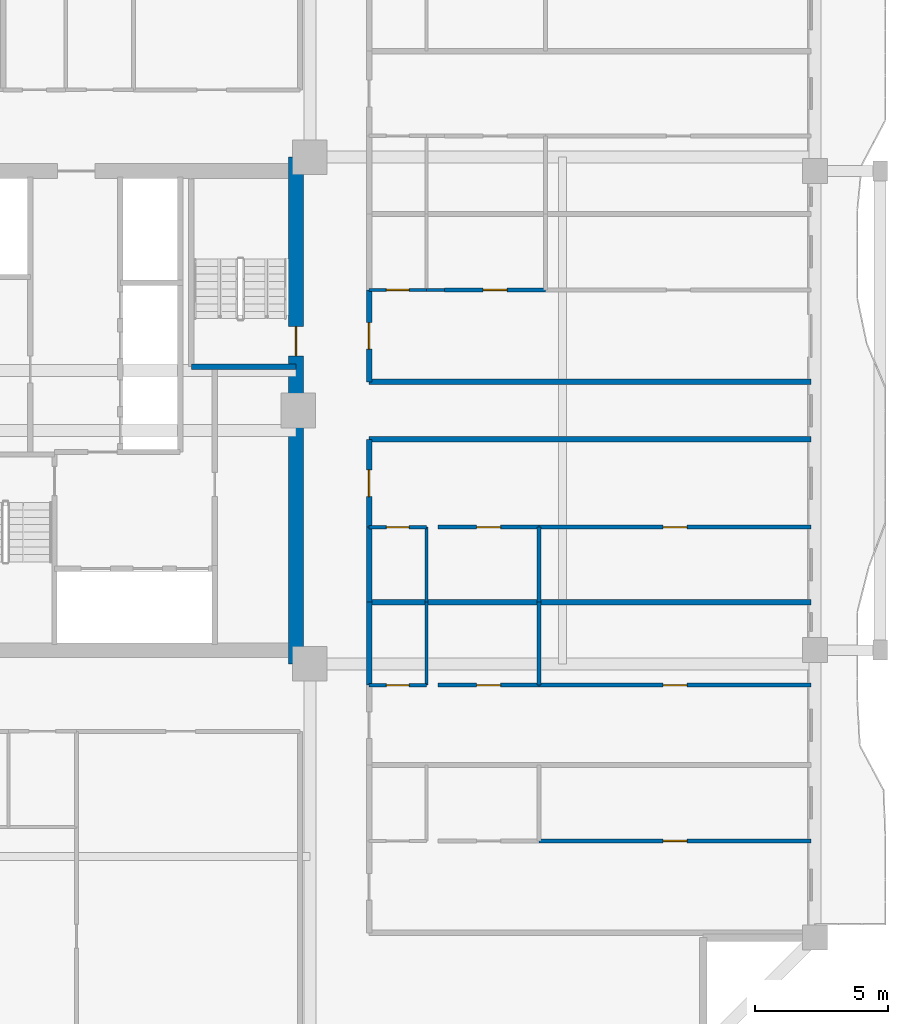
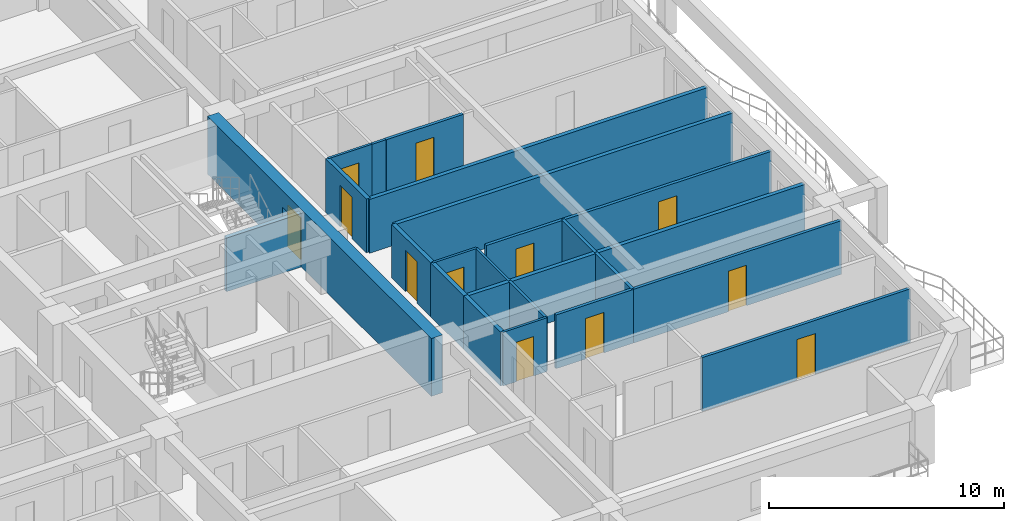
# One storey, part 5 of 13: 23 walls, 12 doors, 12 openings.
"""IFC4 building model written with IfcOpenShell, lengths in metres."""

from ifc_helpers import new_model, si_unit, direction, frame, frame_2d, origin, place, context, subcontext, project, spatial, rectangle, extrude, source, transform, mapped, material, layer, layer_set, type_object, element, fill, save


model = new_model("IFC4")

# Units and contexts
model_context = context("Model", 3, precision=1e-05, world=origin(), true_north=direction((0.0, 1.0)))
body_context = subcontext(model_context, "Body", "Model", "MODEL_VIEW")
ifc_project = project(units=[si_unit("LENGTHUNIT", "METRE"), si_unit("AREAUNIT", "SQUARE_METRE"), si_unit("VOLUMEUNIT", "CUBIC_METRE"), si_unit("PLANEANGLEUNIT", "RADIAN"), si_unit("MASSUNIT", "GRAM", prefix="KILO")], contexts=[model_context])

# Site, building, storey
site_placement = place(None, origin())
site = spatial("IfcSite", under=ifc_project, at=site_placement, CompositionType="ELEMENT")
building_placement = place(site_placement, origin())
building = spatial("IfcBuilding", under=site, at=building_placement, Name="Saelheon Loggia Tower", CompositionType="ELEMENT")
storey_placement = place(building_placement, frame((0.0, 0.0, 92.85009765625)))
storey = spatial("IfcBuildingStorey", under=building, at=storey_placement, Name="L29", CompositionType="ELEMENT", Elevation=92.85009765625)

# Wall, opening, door
ifc_material_1 = material(Name="Concrete C50/60", Category="concrete")
ifc_layer_1 = layer(ifc_material_1, 0.550048828125)
ifc_layer_set_1 = layer_set([ifc_layer_1], Name="Concrete C50/60")
wall_type_1 = type_object("IfcWallType", Name="Wall_CoreShear_550", PredefinedType="SHEAR", material=ifc_layer_set_1)
wall_1_placement = place(storey_placement, frame((44.5, 17.47998046875, 0.0), z_axis=(0.0, 0.0, 1.0), x_axis=(0.0, 1.0, 0.0)))
wall_1 = element("IfcWall", 1, at=wall_1_placement, inside=storey, type_object=wall_type_1, Name="L29 Core Shear Wall East", PredefinedType="SHEAR", context=body_context, shape_type="SweptSolid", body=[
    extrude(rectangle(XDim=19.0400390625, YDim=0.550048828125, at=frame_2d((9.52001953125, 0.0))), origin(), (0.0, 0.0, 1.0), 3.0),
])
opening_1_placement = place(wall_1_placement, frame((12.670166015625, 0.0, 0.0), z_axis=(0.0, 0.0, 1.0), x_axis=(-1.0, 0.0, 0.0)))
opening_1 = element("IfcOpeningElement", 2, at=opening_1_placement, cuts=wall_1, Name="Opening D-FD2", PredefinedType="OPENING", context=body_context, shape_type="SweptSolid", body=[
    extrude(rectangle(XDim=1.10009765625, YDim=2.14990234375, at=frame_2d((0.550048828125, 1.074951171875))), frame((0.0, 0.287109375, 0.0), z_axis=(0.0, -1.0, 0.0), x_axis=(1.0, 0.0, 0.0)), (0.0, 0.0, 1.0), 0.573974609375),
])
ifc_material_2 = material(Name="Galvanised Steel Fire Door", Category="steel")
door_type_1 = type_object("IfcDoorType", Name="Door_Fire_FD60_1100", OperationType="NOTDEFINED", PredefinedType="DOOR", material=ifc_material_2)
shared_shape_1 = source(origin(), body_context, "Body", "SweptSolid", [
    extrude(rectangle(XDim=1.10009765625, YDim=2.14990234375, at=frame_2d((0.550048828125, 1.074951171875))), frame((0.0, 0.02490234375, 0.0), z_axis=(0.0, -1.0, 0.0), x_axis=(1.0, 0.0, 0.0)), (0.0, 0.0, 1.0), 0.050048828125),
])
door_1_placement = place(opening_1_placement, origin())
door_1 = element("IfcDoor", 3, at=door_1_placement, inside=storey, type_object=door_type_1, Name="L29 Stair ST2 Corridor Door", OperationType="SINGLE_SWING_RIGHT", OverallHeight=2.14990234375, OverallWidth=1.10009765625, PredefinedType="DOOR", context=body_context, shape_type="MappedRepresentation", body=[
    mapped(shared_shape_1, transform((0.0, 0.0, 0.0), scale=1.0)),
])
fill(opening_1, door_1)

ifc_material_3 = material(Name="Lightweight Autoclaved Aerated Concrete Block and Acoustic Gypsum", Category="concrete")
ifc_layer_2 = layer(ifc_material_3, 0.14990234375)
ifc_layer_set_2 = layer_set([ifc_layer_2], Name="Lightweight Autoclaved Aerated Concrete Block and Acoustic Gypsum")
wall_type_2 = type_object("IfcWallType", Name="Wall_Part_150", PredefinedType="PARTITIONING", material=ifc_layer_set_2)
wall_2_placement = place(storey_placement, frame((53.639892578125, 10.83349609375, 0.0), z_axis=(0.0, 0.0, 1.0), x_axis=(1.0, 0.0, 0.0)))
wall_2 = element("IfcWall", 4, at=wall_2_placement, inside=storey, type_object=wall_type_2, Name="L29 ES Partition U09", PredefinedType="PARTITIONING", context=body_context, shape_type="SweptSolid", body=[
    extrude(rectangle(XDim=10.210205078125, YDim=0.14990234375, at=frame_2d((5.10498046875, 0.0))), origin(), (0.0, 0.0, 1.0), 2.789794921875),
])
opening_2_placement = place(wall_2_placement, frame((4.655029296875, 0.0, 0.0)))
opening_2 = element("IfcOpeningElement", 5, at=opening_2_placement, cuts=wall_2, Name="Opening D-IN2", PredefinedType="OPENING", context=body_context, shape_type="SweptSolid", body=[
    extrude(rectangle(XDim=0.89990234375, YDim=2.10009765625, at=frame_2d((0.449951171875, 1.050048828125))), frame((0.0, 0.0869140625, 0.0), z_axis=(0.0, -1.0, 0.0), x_axis=(1.0, 0.0, 0.0)), (0.0, 0.0, 1.0), 0.173828125),
])
ifc_material_4 = material(Name="Engineered Oak Flush Door", Category="timber")
door_type_2 = type_object("IfcDoorType", Name="Door_Int_900", OperationType="NOTDEFINED", PredefinedType="DOOR", material=ifc_material_4)
shared_shape_2 = source(origin(), body_context, "Body", "SweptSolid", [
    extrude(rectangle(XDim=0.89990234375, YDim=2.10009765625, at=frame_2d((0.449951171875, 1.050048828125))), frame((0.0, 0.02490234375, 0.0), z_axis=(0.0, -1.0, 0.0), x_axis=(1.0, 0.0, 0.0)), (0.0, 0.0, 1.0), 0.050048828125),
])
door_2_placement = place(opening_2_placement, origin())
door_2 = element("IfcDoor", 6, at=door_2_placement, inside=storey, type_object=door_type_2, Name="Unit U07 Bedroom 1 Door", OperationType="SINGLE_SWING_LEFT", OverallHeight=2.10009765625, OverallWidth=0.89990234375, PredefinedType="DOOR", context=body_context, shape_type="MappedRepresentation", body=[
    mapped(shared_shape_2, transform((0.0, 0.0, 0.0), scale=1.0)),
])
fill(opening_2, door_2)

# Wall
wall_3_placement = place(storey_placement, frame((53.639892578125, 16.679931640625, 0.0), z_axis=(0.0, 0.0, 1.0), x_axis=(0.0, 1.0, 0.0)))
element("IfcWall", 7, at=wall_3_placement, inside=storey, type_object=wall_type_2, Name="L29 ES Partition V15", PredefinedType="PARTITIONING", context=body_context, shape_type="SweptSolid", body=[
    extrude(rectangle(XDim=3.121826171875, YDim=0.14990234375, at=frame_2d((1.56103515625, 0.0))), origin(), (0.0, 0.0, 1.0), 2.789794921875),
])

# Wall, opening, door
wall_4_placement = place(storey_placement, frame((49.840087890625, 16.679931640625, 0.0), z_axis=(0.0, 0.0, 1.0), x_axis=(1.0, 0.0, 0.0)))
wall_4 = element("IfcWall", 8, at=wall_4_placement, inside=storey, type_object=wall_type_2, Name="L29 ES Partition U16", PredefinedType="PARTITIONING", context=body_context, shape_type="SweptSolid", body=[
    extrude(rectangle(XDim=3.7998046875, YDim=0.14990234375, at=frame_2d((1.89990234375, 0.0))), origin(), (0.0, 0.0, 1.0), 2.789794921875),
])
opening_3_placement = place(wall_4_placement, frame((1.449951171875, 0.0, 0.0)))
opening_3 = element("IfcOpeningElement", 9, at=opening_3_placement, cuts=wall_4, Name="Opening D-IN2", PredefinedType="OPENING", context=body_context, shape_type="SweptSolid", body=[
    extrude(rectangle(XDim=0.89990234375, YDim=2.10009765625, at=frame_2d((0.449951171875, 1.050048828125))), frame((0.0, 0.0869140625, 0.0), z_axis=(0.0, -1.0, 0.0), x_axis=(1.0, 0.0, 0.0)), (0.0, 0.0, 1.0), 0.173828125),
])
door_3_placement = place(opening_3_placement, origin())
door_3 = element("IfcDoor", 10, at=door_3_placement, inside=storey, type_object=door_type_2, Name="Unit U08 Kitchen Door", OperationType="SINGLE_SWING_RIGHT", OverallHeight=2.10009765625, OverallWidth=0.89990234375, PredefinedType="DOOR", context=body_context, shape_type="MappedRepresentation", body=[
    mapped(shared_shape_2, transform((0.0, 0.0, 0.0), scale=1.0)),
])
fill(opening_3, door_3)

wall_5_placement = place(storey_placement, frame((53.639892578125, 16.679931640625, 0.0), z_axis=(0.0, 0.0, 1.0), x_axis=(1.0, 0.0, 0.0)))
wall_5 = element("IfcWall", 11, at=wall_5_placement, inside=storey, type_object=wall_type_2, Name="L29 ES Partition U17", PredefinedType="PARTITIONING", context=body_context, shape_type="SweptSolid", body=[
    extrude(rectangle(XDim=10.210205078125, YDim=0.14990234375, at=frame_2d((5.10498046875, 0.0))), origin(), (0.0, 0.0, 1.0), 2.789794921875),
])
opening_4_placement = place(wall_5_placement, frame((4.655029296875, 0.0, 0.0)))
opening_4 = element("IfcOpeningElement", 12, at=opening_4_placement, cuts=wall_5, Name="Opening D-IN2", PredefinedType="OPENING", context=body_context, shape_type="SweptSolid", body=[
    extrude(rectangle(XDim=0.89990234375, YDim=2.10009765625, at=frame_2d((0.449951171875, 1.050048828125))), frame((0.0, 0.0869140625, 0.0), z_axis=(0.0, -1.0, 0.0), x_axis=(1.0, 0.0, 0.0)), (0.0, 0.0, 1.0), 0.173828125),
])
door_4_placement = place(opening_4_placement, origin())
door_4 = element("IfcDoor", 13, at=door_4_placement, inside=storey, type_object=door_type_2, Name="Unit U08 Bedroom 1 Door", OperationType="SINGLE_SWING_LEFT", OverallHeight=2.10009765625, OverallWidth=0.89990234375, PredefinedType="DOOR", context=body_context, shape_type="MappedRepresentation", body=[
    mapped(shared_shape_2, transform((0.0, 0.0, 0.0), scale=1.0)),
])
fill(opening_4, door_4)

# Wall
wall_6_placement = place(storey_placement, frame((53.639892578125, 19.8017578125, 0.0), z_axis=(0.0, 0.0, 1.0), x_axis=(0.0, 1.0, 0.0)))
element("IfcWall", 14, at=wall_6_placement, inside=storey, type_object=wall_type_2, Name="L29 ES Partition V23", PredefinedType="PARTITIONING", context=body_context, shape_type="SweptSolid", body=[
    extrude(rectangle(XDim=2.814453125, YDim=0.14990234375, at=frame_2d((1.4072265625, 0.0))), origin(), (0.0, 0.0, 1.0), 2.789794921875),
])

# Wall, opening, door
wall_7_placement = place(storey_placement, frame((49.840087890625, 22.6162109375, 0.0), z_axis=(0.0, 0.0, 1.0), x_axis=(1.0, 0.0, 0.0)))
wall_7 = element("IfcWall", 15, at=wall_7_placement, inside=storey, type_object=wall_type_2, Name="L29 ES Partition U24", PredefinedType="PARTITIONING", context=body_context, shape_type="SweptSolid", body=[
    extrude(rectangle(XDim=3.7998046875, YDim=0.14990234375, at=frame_2d((1.89990234375, 0.0))), origin(), (0.0, 0.0, 1.0), 2.789794921875),
])
opening_5_placement = place(wall_7_placement, frame((1.449951171875, 0.0, 0.0)))
opening_5 = element("IfcOpeningElement", 16, at=opening_5_placement, cuts=wall_7, Name="Opening D-IN2", PredefinedType="OPENING", context=body_context, shape_type="SweptSolid", body=[
    extrude(rectangle(XDim=0.89990234375, YDim=2.10009765625, at=frame_2d((0.449951171875, 1.050048828125))), frame((0.0, 0.0869140625, 0.0), z_axis=(0.0, -1.0, 0.0), x_axis=(1.0, 0.0, 0.0)), (0.0, 0.0, 1.0), 0.173828125),
])
door_5_placement = place(opening_5_placement, origin())
door_5 = element("IfcDoor", 17, at=door_5_placement, inside=storey, type_object=door_type_2, Name="Unit U09 Kitchen Door", OperationType="SINGLE_SWING_RIGHT", OverallHeight=2.10009765625, OverallWidth=0.89990234375, PredefinedType="DOOR", context=body_context, shape_type="MappedRepresentation", body=[
    mapped(shared_shape_2, transform((0.0, 0.0, 0.0), scale=1.0)),
])
fill(opening_5, door_5)

wall_8_placement = place(storey_placement, frame((53.639892578125, 22.6162109375, 0.0), z_axis=(0.0, 0.0, 1.0), x_axis=(1.0, 0.0, 0.0)))
wall_8 = element("IfcWall", 18, at=wall_8_placement, inside=storey, type_object=wall_type_2, Name="L29 ES Partition U25", PredefinedType="PARTITIONING", context=body_context, shape_type="SweptSolid", body=[
    extrude(rectangle(XDim=10.210205078125, YDim=0.14990234375, at=frame_2d((5.10498046875, 0.0))), origin(), (0.0, 0.0, 1.0), 2.789794921875),
])
opening_6_placement = place(wall_8_placement, frame((4.655029296875, 0.0, 0.0)))
opening_6 = element("IfcOpeningElement", 19, at=opening_6_placement, cuts=wall_8, Name="Opening D-IN2", PredefinedType="OPENING", context=body_context, shape_type="SweptSolid", body=[
    extrude(rectangle(XDim=0.89990234375, YDim=2.10009765625, at=frame_2d((0.449951171875, 1.050048828125))), frame((0.0, 0.0869140625, 0.0), z_axis=(0.0, -1.0, 0.0), x_axis=(1.0, 0.0, 0.0)), (0.0, 0.0, 1.0), 0.173828125),
])
door_6_placement = place(opening_6_placement, origin())
door_6 = element("IfcDoor", 20, at=door_6_placement, inside=storey, type_object=door_type_2, Name="Unit U09 Bedroom 1 Door", OperationType="SINGLE_SWING_LEFT", OverallHeight=2.10009765625, OverallWidth=0.89990234375, PredefinedType="DOOR", context=body_context, shape_type="MappedRepresentation", body=[
    mapped(shared_shape_2, transform((0.0, 0.0, 0.0), scale=1.0)),
])
fill(opening_6, door_6)

wall_9_placement = place(storey_placement, frame((50.080078125, 31.53369140625, 0.0), z_axis=(0.0, 0.0, 1.0), x_axis=(1.0, 0.0, 0.0)))
wall_9 = element("IfcWall", 21, at=wall_9_placement, inside=storey, type_object=wall_type_2, Name="L29 EN Partition U09", PredefinedType="PARTITIONING", context=body_context, shape_type="SweptSolid", body=[
    extrude(rectangle(XDim=3.7998046875, YDim=0.14990234375, at=frame_2d((1.89990234375, 0.0))), origin(), (0.0, 0.0, 1.0), 2.789794921875),
])
opening_7_placement = place(wall_9_placement, frame((1.449951171875, 0.0, 0.0)))
opening_7 = element("IfcOpeningElement", 22, at=opening_7_placement, cuts=wall_9, Name="Opening D-IN2", PredefinedType="OPENING", context=body_context, shape_type="SweptSolid", body=[
    extrude(rectangle(XDim=0.89990234375, YDim=2.10009765625, at=frame_2d((0.449951171875, 1.050048828125))), frame((0.0, 0.0869140625, 0.0), z_axis=(0.0, -1.0, 0.0), x_axis=(1.0, 0.0, 0.0)), (0.0, 0.0, 1.0), 0.173828125),
])
door_7_placement = place(opening_7_placement, origin())
door_7 = element("IfcDoor", 23, at=door_7_placement, inside=storey, type_object=door_type_2, Name="Unit U10 Kitchen Door", OperationType="SINGLE_SWING_RIGHT", OverallHeight=2.10009765625, OverallWidth=0.89990234375, PredefinedType="DOOR", context=body_context, shape_type="MappedRepresentation", body=[
    mapped(shared_shape_2, transform((0.0, 0.0, 0.0), scale=1.0)),
])
fill(opening_7, door_7)

# Walls
ifc_material_5 = material(Name="Double Acoustic Stud and Fireboard Partition", Category="gypsum")
ifc_layer_3 = layer(ifc_material_5, 0.199951171875)
ifc_layer_set_3 = layer_set([ifc_layer_3], Name="Double Acoustic Stud and Fireboard Partition")
wall_type_3 = type_object("IfcWallType", Name="Wall_Party_200", PredefinedType="PARTITIONING", material=ifc_layer_set_3)
wall_10_placement = place(storey_placement, frame((47.25, 25.919921875, 0.0), z_axis=(0.0, 0.0, 1.0), x_axis=(1.0, 0.0, 0.0)))
element("IfcWall", 24, at=wall_10_placement, inside=storey, type_object=wall_type_3, Name="L29 ES Partition U02", PredefinedType="PARTITIONING", context=body_context, shape_type="SweptSolid", body=[
    extrude(rectangle(XDim=16.60009765625, YDim=0.199951171875, at=frame_2d((8.300048828125, 0.0))), origin(), (0.0, 0.0, 1.0), 2.789794921875),
])
wall_11_placement = place(storey_placement, frame((47.25, 16.679931640625, 0.0), z_axis=(0.0, 0.0, 1.0), x_axis=(0.0, 1.0, 0.0)))
element("IfcWall", 25, at=wall_11_placement, inside=storey, type_object=wall_type_3, Name="L29 ES Partition V12", PredefinedType="PARTITIONING", context=body_context, shape_type="SweptSolid", body=[
    extrude(rectangle(XDim=3.121826171875, YDim=0.199951171875, at=frame_2d((1.56103515625, 0.0))), origin(), (0.0, 0.0, 1.0), 2.789794921875),
])
wall_12_placement = place(storey_placement, frame((47.25, 19.8017578125, 0.0), z_axis=(0.0, 0.0, 1.0), x_axis=(1.0, 0.0, 0.0)))
element("IfcWall", 26, at=wall_12_placement, inside=storey, type_object=wall_type_3, Name="L29 ES Partition U18", PredefinedType="PARTITIONING", context=body_context, shape_type="SweptSolid", body=[
    extrude(rectangle(XDim=16.60009765625, YDim=0.199951171875, at=frame_2d((8.300048828125, 0.0))), origin(), (0.0, 0.0, 1.0), 2.789794921875),
])
wall_13_placement = place(storey_placement, frame((47.25, 19.8017578125, 0.0), z_axis=(0.0, 0.0, 1.0), x_axis=(0.0, 1.0, 0.0)))
element("IfcWall", 27, at=wall_13_placement, inside=storey, type_object=wall_type_3, Name="L29 ES Partition V19", PredefinedType="PARTITIONING", context=body_context, shape_type="SweptSolid", body=[
    extrude(rectangle(XDim=2.814453125, YDim=0.199951171875, at=frame_2d((1.4072265625, 0.0))), origin(), (0.0, 0.0, 1.0), 2.789794921875),
])

# Wall, opening, door
wall_14_placement = place(storey_placement, frame((47.25, 22.6162109375, 0.0), z_axis=(0.0, 0.0, 1.0), x_axis=(0.0, 1.0, 0.0)))
wall_14 = element("IfcWall", 28, at=wall_14_placement, inside=storey, type_object=wall_type_3, Name="L29 ES Partition V20", PredefinedType="PARTITIONING", context=body_context, shape_type="SweptSolid", body=[
    extrude(rectangle(XDim=3.3037109375, YDim=0.199951171875, at=frame_2d((1.65185546875, 0.0))), origin(), (0.0, 0.0, 1.0), 2.789794921875),
])
opening_8_placement = place(wall_14_placement, frame((1.15185546875, 0.0, 0.0)))
opening_8 = element("IfcOpeningElement", 29, at=opening_8_placement, cuts=wall_14, Name="Opening D-FD1", PredefinedType="OPENING", context=body_context, shape_type="SweptSolid", body=[
    extrude(rectangle(XDim=1.0, YDim=2.14990234375, at=frame_2d((0.5, 1.074951171875))), frame((0.0, 0.112060546875, 0.0), z_axis=(0.0, -1.0, 0.0), x_axis=(1.0, 0.0, 0.0)), (0.0, 0.0, 1.0), 0.223876953125),
])
ifc_material_6 = material(Name="Fire-Rated Engineered Timber Entrance Door", Category="wood")
door_type_3 = type_object("IfcDoorType", Name="Door_Flat_FD30S", OperationType="NOTDEFINED", PredefinedType="DOOR", material=ifc_material_6)
shared_shape_3 = source(origin(), body_context, "Body", "SweptSolid", [
    extrude(rectangle(XDim=1.0, YDim=2.14990234375, at=frame_2d((0.5, 1.074951171875))), frame((0.0, 0.02490234375, 0.0), z_axis=(0.0, -1.0, 0.0), x_axis=(1.0, 0.0, 0.0)), (0.0, 0.0, 1.0), 0.050048828125),
])
door_8_placement = place(opening_8_placement, origin())
door_8 = element("IfcDoor", 30, at=door_8_placement, inside=storey, type_object=door_type_3, Name="Unit U09 Entrance Door", OperationType="SINGLE_SWING_RIGHT", OverallHeight=2.14990234375, OverallWidth=1.0, PredefinedType="DOOR", context=body_context, shape_type="MappedRepresentation", body=[
    mapped(shared_shape_3, transform((0.0, 0.0, 0.0), scale=1.0)),
])
fill(opening_8, door_8)

# Wall
wall_15_placement = place(storey_placement, frame((47.25, 28.080078125, 0.0), z_axis=(0.0, 0.0, 1.0), x_axis=(1.0, 0.0, 0.0)))
element("IfcWall", 31, at=wall_15_placement, inside=storey, type_object=wall_type_3, Name="L29 EN Partition U01", PredefinedType="PARTITIONING", context=body_context, shape_type="SweptSolid", body=[
    extrude(rectangle(XDim=16.60009765625, YDim=0.199951171875, at=frame_2d((8.300048828125, 0.0))), origin(), (0.0, 0.0, 1.0), 2.789794921875),
])

# Wall, opening, door
wall_16_placement = place(storey_placement, frame((47.25, 28.080078125, 0.0), z_axis=(0.0, 0.0, 1.0), x_axis=(0.0, 1.0, 0.0)))
wall_16 = element("IfcWall", 32, at=wall_16_placement, inside=storey, type_object=wall_type_3, Name="L29 EN Partition V03", PredefinedType="PARTITIONING", context=body_context, shape_type="SweptSolid", body=[
    extrude(rectangle(XDim=3.45361328125, YDim=0.199951171875, at=frame_2d((1.726806640625, 0.0))), origin(), (0.0, 0.0, 1.0), 2.789794921875),
])
opening_9_placement = place(wall_16_placement, frame((1.226806640625, 0.0, 0.0)))
opening_9 = element("IfcOpeningElement", 33, at=opening_9_placement, cuts=wall_16, Name="Opening D-FD1", PredefinedType="OPENING", context=body_context, shape_type="SweptSolid", body=[
    extrude(rectangle(XDim=1.0, YDim=2.14990234375, at=frame_2d((0.5, 1.074951171875))), frame((0.0, 0.112060546875, 0.0), z_axis=(0.0, -1.0, 0.0), x_axis=(1.0, 0.0, 0.0)), (0.0, 0.0, 1.0), 0.223876953125),
])
door_9_placement = place(opening_9_placement, origin())
door_9 = element("IfcDoor", 34, at=door_9_placement, inside=storey, type_object=door_type_3, Name="Unit U10 Entrance Door", OperationType="SINGLE_SWING_RIGHT", OverallHeight=2.14990234375, OverallWidth=1.0, PredefinedType="DOOR", context=body_context, shape_type="MappedRepresentation", body=[
    mapped(shared_shape_3, transform((0.0, 0.0, 0.0), scale=1.0)),
])
fill(opening_9, door_9)

# Wall
ifc_material_7 = material(Name="Concrete C45/55", Category="concrete")
ifc_layer_4 = layer(ifc_material_7, 0.199951171875)
ifc_layer_set_4 = layer_set([ifc_layer_4], Name="Concrete C45/55")
wall_type_4 = type_object("IfcWallType", Name="Wall_StairShaft_RC200", PredefinedType="SOLIDWALL", material=ifc_layer_set_4)
wall_17_placement = place(storey_placement, frame((40.570068359375, 28.64990234375, 0.0), z_axis=(0.0, 0.0, 1.0), x_axis=(1.0, 0.0, 0.0)))
element("IfcWall", 35, at=wall_17_placement, inside=storey, type_object=wall_type_4, Name="L29 Stair ST2 South Wall", PredefinedType="SOLIDWALL", context=body_context, shape_type="SweptSolid", body=[
    extrude(rectangle(XDim=3.929931640625, YDim=0.199951171875, at=frame_2d((1.96484375, 0.0))), origin(), (0.0, 0.0, 1.0), 2.789794921875),
])

# Wall, opening, door
ifc_material_8 = material(Name="Moisture-Resistant Cement Board Partition", Category="gypsum")
ifc_layer_5 = layer(ifc_material_8, 0.1201171875)
ifc_layer_set_5 = layer_set([ifc_layer_5], Name="Moisture-Resistant Cement Board Partition")
wall_type_5 = type_object("IfcWallType", Name="Wall_WetPart_120", PredefinedType="PARTITIONING", material=ifc_layer_set_5)
wall_18_placement = place(storey_placement, frame((47.25, 16.679931640625, 0.0), z_axis=(0.0, 0.0, 1.0), x_axis=(1.0, 0.0, 0.0)))
wall_18 = element("IfcWall", 36, at=wall_18_placement, inside=storey, type_object=wall_type_5, Name="L29 ES Partition U13", PredefinedType="PARTITIONING", context=body_context, shape_type="SweptSolid", body=[
    extrude(rectangle(XDim=2.14990234375, YDim=0.1201171875, at=frame_2d((1.074951171875, 0.0))), origin(), (0.0, 0.0, 1.0), 2.789794921875),
])
opening_10_placement = place(wall_18_placement, frame((0.64990234375, 0.0, 0.0)))
opening_10 = element("IfcOpeningElement", 37, at=opening_10_placement, cuts=wall_18, Name="Opening D-BT1", PredefinedType="OPENING", context=body_context, shape_type="SweptSolid", body=[
    extrude(rectangle(XDim=0.85009765625, YDim=2.050048828125, at=frame_2d((0.425048828125, 1.02490234375))), frame((0.0, 0.072021484375, 0.0), z_axis=(0.0, -1.0, 0.0), x_axis=(1.0, 0.0, 0.0)), (0.0, 0.0, 1.0), 0.14404296875),
])
ifc_material_9 = material(Name="Moisture-Resistant Laminate Timber Door", Category="wood")
door_type_4 = type_object("IfcDoorType", Name="Door_Bath_850", OperationType="NOTDEFINED", PredefinedType="DOOR", material=ifc_material_9)
shared_shape_4 = source(origin(), body_context, "Body", "SweptSolid", [
    extrude(rectangle(XDim=0.85009765625, YDim=2.050048828125, at=frame_2d((0.425048828125, 1.02490234375))), frame((0.0, 0.02490234375, 0.0), z_axis=(0.0, -1.0, 0.0), x_axis=(1.0, 0.0, 0.0)), (0.0, 0.0, 1.0), 0.050048828125),
])
door_10_placement = place(opening_10_placement, origin())
door_10 = element("IfcDoor", 38, at=door_10_placement, inside=storey, type_object=door_type_4, Name="Unit U08 Bathroom Door", OperationType="SINGLE_SWING_LEFT", OverallHeight=2.050048828125, OverallWidth=0.85009765625, PredefinedType="DOOR", context=body_context, shape_type="MappedRepresentation", body=[
    mapped(shared_shape_4, transform((0.0, 0.0, 0.0), scale=1.0)),
])
fill(opening_10, door_10)

# Wall
wall_19_placement = place(storey_placement, frame((49.39990234375, 16.679931640625, 0.0), z_axis=(0.0, 0.0, 1.0), x_axis=(0.0, 1.0, 0.0)))
element("IfcWall", 39, at=wall_19_placement, inside=storey, type_object=wall_type_5, Name="L29 ES Partition V14", PredefinedType="PARTITIONING", context=body_context, shape_type="SweptSolid", body=[
    extrude(rectangle(XDim=3.121826171875, YDim=0.1201171875, at=frame_2d((1.56103515625, 0.0))), origin(), (0.0, 0.0, 1.0), 2.789794921875),
])

# Wall, opening, door
wall_20_placement = place(storey_placement, frame((47.25, 22.6162109375, 0.0), z_axis=(0.0, 0.0, 1.0), x_axis=(1.0, 0.0, 0.0)))
wall_20 = element("IfcWall", 40, at=wall_20_placement, inside=storey, type_object=wall_type_5, Name="L29 ES Partition U21", PredefinedType="PARTITIONING", context=body_context, shape_type="SweptSolid", body=[
    extrude(rectangle(XDim=2.14990234375, YDim=0.1201171875, at=frame_2d((1.074951171875, 0.0))), origin(), (0.0, 0.0, 1.0), 2.789794921875),
])
opening_11_placement = place(wall_20_placement, frame((0.64990234375, 0.0, 0.0)))
opening_11 = element("IfcOpeningElement", 41, at=opening_11_placement, cuts=wall_20, Name="Opening D-BT1", PredefinedType="OPENING", context=body_context, shape_type="SweptSolid", body=[
    extrude(rectangle(XDim=0.85009765625, YDim=2.050048828125, at=frame_2d((0.425048828125, 1.02490234375))), frame((0.0, 0.072021484375, 0.0), z_axis=(0.0, -1.0, 0.0), x_axis=(1.0, 0.0, 0.0)), (0.0, 0.0, 1.0), 0.14404296875),
])
door_11_placement = place(opening_11_placement, origin())
door_11 = element("IfcDoor", 42, at=door_11_placement, inside=storey, type_object=door_type_4, Name="Unit U09 Bathroom Door", OperationType="SINGLE_SWING_LEFT", OverallHeight=2.050048828125, OverallWidth=0.85009765625, PredefinedType="DOOR", context=body_context, shape_type="MappedRepresentation", body=[
    mapped(shared_shape_4, transform((0.0, 0.0, 0.0), scale=1.0)),
])
fill(opening_11, door_11)

# Wall
wall_21_placement = place(storey_placement, frame((49.39990234375, 19.8017578125, 0.0), z_axis=(0.0, 0.0, 1.0), x_axis=(0.0, 1.0, 0.0)))
element("IfcWall", 43, at=wall_21_placement, inside=storey, type_object=wall_type_5, Name="L29 ES Partition V22", PredefinedType="PARTITIONING", context=body_context, shape_type="SweptSolid", body=[
    extrude(rectangle(XDim=2.814453125, YDim=0.1201171875, at=frame_2d((1.4072265625, 0.0))), origin(), (0.0, 0.0, 1.0), 2.789794921875),
])

# Wall, opening, door
wall_22_placement = place(storey_placement, frame((47.25, 31.53369140625, 0.0), z_axis=(0.0, 0.0, 1.0), x_axis=(1.0, 0.0, 0.0)))
wall_22 = element("IfcWall", 44, at=wall_22_placement, inside=storey, type_object=wall_type_5, Name="L29 EN Partition U05", PredefinedType="PARTITIONING", context=body_context, shape_type="SweptSolid", body=[
    extrude(rectangle(XDim=2.14990234375, YDim=0.1201171875, at=frame_2d((1.074951171875, 0.0))), origin(), (0.0, 0.0, 1.0), 2.789794921875),
])
opening_12_placement = place(wall_22_placement, frame((0.64990234375, 0.0, 0.0)))
opening_12 = element("IfcOpeningElement", 45, at=opening_12_placement, cuts=wall_22, Name="Opening D-BT1", PredefinedType="OPENING", context=body_context, shape_type="SweptSolid", body=[
    extrude(rectangle(XDim=0.85009765625, YDim=2.050048828125, at=frame_2d((0.425048828125, 1.02490234375))), frame((0.0, 0.072021484375, 0.0), z_axis=(0.0, -1.0, 0.0), x_axis=(1.0, 0.0, 0.0)), (0.0, 0.0, 1.0), 0.14404296875),
])
door_12_placement = place(opening_12_placement, origin())
door_12 = element("IfcDoor", 46, at=door_12_placement, inside=storey, type_object=door_type_4, Name="Unit U10 Bathroom Door", OperationType="SINGLE_SWING_LEFT", OverallHeight=2.050048828125, OverallWidth=0.85009765625, PredefinedType="DOOR", context=body_context, shape_type="MappedRepresentation", body=[
    mapped(shared_shape_4, transform((0.0, 0.0, 0.0), scale=1.0)),
])
fill(opening_12, door_12)

# Wall
wall_23_placement = place(storey_placement, frame((49.39990234375, 31.53369140625, 0.0), z_axis=(0.0, 0.0, 1.0), x_axis=(1.0, 0.0, 0.0)))
element("IfcWall", 47, at=wall_23_placement, inside=storey, type_object=wall_type_5, Name="L29 EN Partition U06", PredefinedType="PARTITIONING", context=body_context, shape_type="SweptSolid", body=[
    extrude(rectangle(XDim=0.68017578125, YDim=0.1201171875, at=frame_2d((0.340087890625, 0.0))), origin(), (0.0, 0.0, 1.0), 2.789794921875),
])

save(model, "model.ifc")
